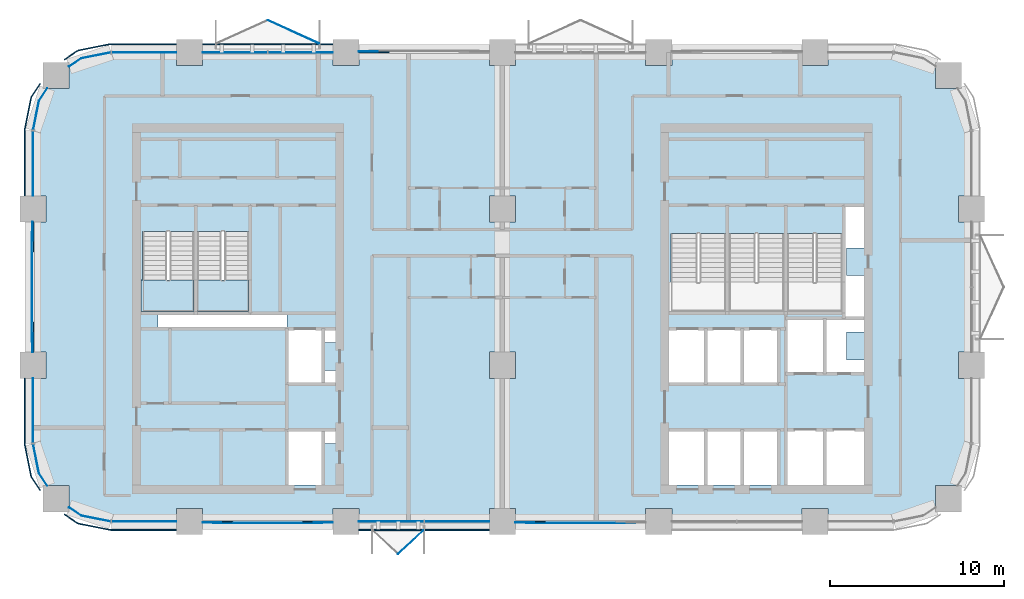
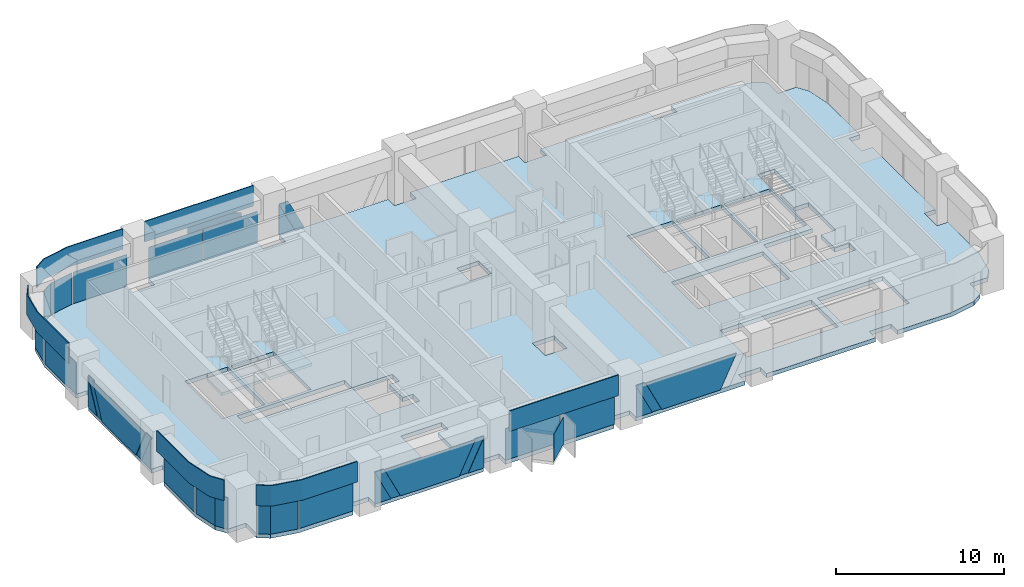
# One storey, part 6 of 14: 35 plates, 3 slabs, 12 elements without a shape of their own.
"""IFC4 building model written with IfcOpenShell, lengths in metres."""

from ifc_helpers import new_model, si_unit, direction, frame, origin, origin_2d, place, context, subcontext, project, spatial, polyline, rectangle, outline, extrude, material, layer, layer_set, type_object, element, aggregate, save


model = new_model("IFC4")

# Units and contexts
model_context = context("Model", 3, precision=1e-05, world=origin(), true_north=direction((0.0, 1.0)))
body_context = subcontext(model_context, "Body", "Model", "MODEL_VIEW")
ifc_project = project(units=[si_unit("LENGTHUNIT", "METRE"), si_unit("AREAUNIT", "SQUARE_METRE"), si_unit("VOLUMEUNIT", "CUBIC_METRE"), si_unit("PLANEANGLEUNIT", "RADIAN"), si_unit("MASSUNIT", "GRAM", prefix="KILO")], contexts=[model_context])

# Site, building, storey
site_placement = place(None, origin())
site = spatial("IfcSite", under=ifc_project, at=site_placement, CompositionType="ELEMENT")
building_placement = place(site_placement, origin())
building = spatial("IfcBuilding", under=site, at=building_placement, Name="Tessera Arch", CompositionType="ELEMENT")
storey_placement = place(building_placement, frame((0.0, 0.0, 193.39990234375)))
storey = spatial("IfcBuildingStorey", under=building, at=storey_placement, Name="L46", CompositionType="ELEMENT", Elevation=193.39990234375)

# Curtain wall, plates
ifc_material_1 = material(Name="CW1 curtain wall")
curtain_wall_type_1 = type_object("IfcCurtainWallType", Name="CW1 curtain wall", PredefinedType="NOTDEFINED", material=ifc_material_1)
curtain_wall_1_placement = place(storey_placement, origin())
curtain_wall_1 = element("IfcCurtainWall", 1, at=curtain_wall_1_placement, inside=storey, type_object=curtain_wall_type_1, Name="CW1 curtain wall N54.0/4 L46", PredefinedType="NOTDEFINED")
ifc_material_2 = material(Name="Clear low-e glass", Category="glass")
ifc_material_3 = material(Name="Clear low-e glass", Category="glass")
ifc_layer_1 = layer(ifc_material_3, 0.028076171875)
ifc_layer_set_1 = layer_set([ifc_layer_1], Name="CW1 glass panel")
plate_type_1 = type_object("IfcPlateType", Name="CW1 glass panel", PredefinedType="CURTAIN_PANEL", material=ifc_layer_set_1)
plate_1_placement = place(storey_placement, frame((15.389892578125, 54.0, 0.0), z_axis=(0.0, 0.0, 1.0), x_axis=(-1.0, 0.0, 0.0)))
plate_1 = element("IfcPlate", 2, at=plate_1_placement, type_object=plate_type_1, material=ifc_material_2, Name="CW1 glass panel N54.0/4 1.1.1", PredefinedType="CURTAIN_PANEL", context=body_context, shape_type="SweptSolid", body=[
    extrude(rectangle(XDim=3.719970703125, YDim=0.028076171875, at=origin_2d()), origin(), (0.0, 0.0, 1.0), 2.300048828125),
])
plate_2_placement = place(storey_placement, frame((11.610107421875, 54.0, 0.0), z_axis=(0.0, 0.0, 1.0), x_axis=(-1.0, 0.0, 0.0)))
plate_2 = element("IfcPlate", 3, at=plate_2_placement, type_object=plate_type_1, material=ifc_material_2, Name="CW1 glass panel N54.0/4 1.2.1", PredefinedType="CURTAIN_PANEL", context=body_context, shape_type="SweptSolid", body=[
    extrude(rectangle(XDim=3.719970703125, YDim=0.028076171875, at=origin_2d()), origin(), (0.0, 0.0, 1.0), 2.300048828125),
])

curtain_wall_2_placement = place(storey_placement, origin())
curtain_wall_2 = element("IfcCurtainWall", 4, at=curtain_wall_2_placement, inside=storey, type_object=curtain_wall_type_1, Name="CW1 curtain wall S27.0/2 L46", PredefinedType="NOTDEFINED")
plate_3_placement = place(storey_placement, frame((20.610107421875, 27.0, 0.0), z_axis=(0.0, 0.0, 1.0), x_axis=(1.0, 0.0, 0.0)))
plate_3 = element("IfcPlate", 5, at=plate_3_placement, type_object=plate_type_1, material=ifc_material_2, Name="CW1 glass panel S27.0/2 1.1.1", PredefinedType="CURTAIN_PANEL", context=body_context, shape_type="SweptSolid", body=[
    extrude(rectangle(XDim=3.719970703125, YDim=0.028076171875, at=origin_2d()), origin(), (0.0, 0.0, 1.0), 2.300048828125),
])
plate_4_placement = place(storey_placement, frame((24.389892578125, 27.0, 0.0), z_axis=(0.0, 0.0, 1.0), x_axis=(1.0, 0.0, 0.0)))
plate_4 = element("IfcPlate", 6, at=plate_4_placement, type_object=plate_type_1, material=ifc_material_2, Name="CW1 glass panel S27.0/2 1.2.1", PredefinedType="CURTAIN_PANEL", context=body_context, shape_type="SweptSolid", body=[
    extrude(rectangle(XDim=3.719970703125, YDim=0.028076171875, at=origin_2d()), origin(), (0.0, 0.0, 1.0), 2.300048828125),
])

# Plate
ifc_material_4 = material(Name="Pale anodised aluminium panel", Category="aluminium")
ifc_layer_2 = layer(ifc_material_4, 0.06005859375)
ifc_layer_set_2 = layer_set([ifc_layer_2], Name="CW1 spandrel panel")
plate_type_2 = type_object("IfcPlateType", Name="CW1 spandrel panel", PredefinedType="CURTAIN_PANEL", material=ifc_layer_set_2)
plate_5_placement = place(storey_placement, frame((13.5, 54.47998046875, 2.400146484375), z_axis=(0.0, 0.0, 1.0), x_axis=(-1.0, 0.0, 0.0)))
plate_5 = element("IfcPlate", 7, at=plate_5_placement, type_object=plate_type_2, Name="CW1 spandrel panel N54.0/4", PredefinedType="CURTAIN_PANEL", context=body_context, shape_type="SweptSolid", body=[
    extrude(rectangle(XDim=7.5, YDim=0.06005859375, at=origin_2d()), origin(), (0.0, 0.0, 1.0), 1.5),
])

aggregate(curtain_wall_1, [plate_1, plate_2, plate_5])

plate_6_placement = place(storey_placement, frame((22.5, 26.52001953125, 2.400146484375), z_axis=(0.0, 0.0, 1.0), x_axis=(1.0, 0.0, 0.0)))
plate_6 = element("IfcPlate", 8, at=plate_6_placement, type_object=plate_type_2, Name="CW1 spandrel panel S27.0/2", PredefinedType="CURTAIN_PANEL", context=body_context, shape_type="SweptSolid", body=[
    extrude(rectangle(XDim=7.5, YDim=0.06005859375, at=origin_2d()), origin(), (0.0, 0.0, 1.0), 1.5),
])

aggregate(curtain_wall_2, [plate_3, plate_4, plate_6])

# Curtain wall, plates
ifc_material_5 = material(Name="CW2 curtain wall")
curtain_wall_type_2 = type_object("IfcCurtainWallType", Name="CW2 curtain wall", PredefinedType="NOTDEFINED", material=ifc_material_5)
curtain_wall_3_placement = place(storey_placement, origin())
curtain_wall_3 = element("IfcCurtainWall", 9, at=curtain_wall_3_placement, inside=storey, type_object=curtain_wall_type_2, Name="CW2 curtain wall N54.0/5 L46", PredefinedType="NOTDEFINED")
ifc_material_6 = material(Name="Clear low-e glass", Category="glass")
ifc_layer_3 = layer(ifc_material_6, 0.028076171875)
ifc_layer_set_3 = layer_set([ifc_layer_3], Name="CW2 glass panel")
plate_type_3 = type_object("IfcPlateType", Name="CW2 glass panel", PredefinedType="CURTAIN_PANEL", material=ifc_layer_set_3)
plate_7_placement = place(storey_placement, frame((6.39501953125, 54.0, 0.0), z_axis=(0.0, 0.0, 1.0), x_axis=(-1.0, 0.0, 0.0)))
plate_7 = element("IfcPlate", 10, at=plate_7_placement, type_object=plate_type_3, material=ifc_material_2, Name="CW2 glass panel N54.0/5 1.1", PredefinedType="CURTAIN_PANEL", context=body_context, shape_type="SweptSolid", body=[
    extrude(rectangle(XDim=3.7099609375, YDim=0.028076171875, at=origin_2d()), origin(), (0.0, 0.0, 1.0), 2.300048828125),
])
plate_8_placement = place(storey_placement, origin())
plate_8 = element("IfcPlate", 11, at=plate_8_placement, type_object=plate_type_3, material=ifc_material_2, Name="CW2 curved glass panel N54.0/5 2.1", PredefinedType="CURTAIN_PANEL", context=body_context, shape_type="SweptSolid", body=[
    extrude(outline(polyline([(2.783447265625, 53.644287109375), (4.46337890625, 53.978515625), (4.4580078125, 54.005859375), (2.7724609375, 53.670654296875), (2.060302734375, 53.19482421875), (2.07568359375, 53.17138671875), (2.783447265625, 53.644287109375)])), origin(), (0.0, 0.0, 1.0), 2.300048828125),
])

curtain_wall_4_placement = place(storey_placement, origin())
curtain_wall_4 = element("IfcCurtainWall", 12, at=curtain_wall_4_placement, inside=storey, type_object=curtain_wall_type_2, Name="CW2 curtain wall W0.27/0 L46", PredefinedType="NOTDEFINED")
plate_9_placement = place(storey_placement, frame((0.0, 47.60498046875, 0.0), z_axis=(0.0, 0.0, 1.0), x_axis=(0.0, -1.0, 0.0)))
plate_9 = element("IfcPlate", 13, at=plate_9_placement, type_object=plate_type_3, material=ifc_material_2, Name="CW2 glass panel W0.27/0 1.1", PredefinedType="CURTAIN_PANEL", context=body_context, shape_type="SweptSolid", body=[
    extrude(rectangle(XDim=3.7099609375, YDim=0.028076171875, at=origin_2d()), origin(), (0.0, 0.0, 1.0), 2.300048828125),
])
plate_10_placement = place(storey_placement, origin())
plate_10 = element("IfcPlate", 14, at=plate_10_placement, type_object=plate_type_3, material=ifc_material_2, Name="CW2 curved glass panel W0.27/0 2.1", PredefinedType="CURTAIN_PANEL", context=body_context, shape_type="SweptSolid", body=[
    extrude(outline(polyline([(0.355712890625, 51.216552734375), (0.82861328125, 51.92431640625), (0.80517578125, 51.939697265625), (0.329345703125, 51.2275390625), (-0.005859375, 49.5419921875), (0.021484375, 49.53662109375), (0.355712890625, 51.216552734375)])), origin(), (0.0, 0.0, 1.0), 2.300048828125),
])

curtain_wall_5_placement = place(storey_placement, origin())
curtain_wall_5 = element("IfcCurtainWall", 15, at=curtain_wall_5_placement, inside=storey, type_object=curtain_wall_type_2, Name="CW2 curtain wall W0.27/2 L46", PredefinedType="NOTDEFINED")
plate_11_placement = place(storey_placement, frame((0.0, 33.39501953125, 0.0), z_axis=(0.0, 0.0, 1.0), x_axis=(0.0, -1.0, 0.0)))
plate_11 = element("IfcPlate", 16, at=plate_11_placement, type_object=plate_type_3, material=ifc_material_2, Name="CW2 glass panel W0.27/2 1.1", PredefinedType="CURTAIN_PANEL", context=body_context, shape_type="SweptSolid", body=[
    extrude(rectangle(XDim=3.7099609375, YDim=0.028076171875, at=origin_2d()), origin(), (0.0, 0.0, 1.0), 2.300048828125),
])
plate_12_placement = place(storey_placement, origin())
plate_12 = element("IfcPlate", 17, at=plate_12_placement, type_object=plate_type_3, material=ifc_material_2, Name="CW2 curved glass panel W0.27/2 2.1", PredefinedType="CURTAIN_PANEL", context=body_context, shape_type="SweptSolid", body=[
    extrude(outline(polyline([(0.355712890625, 29.783447265625), (0.021484375, 31.46337890625), (-0.005859375, 31.4580078125), (0.329345703125, 29.7724609375), (0.80517578125, 29.060302734375), (0.82861328125, 29.07568359375), (0.355712890625, 29.783447265625)])), origin(), (0.0, 0.0, 1.0), 2.300048828125),
])

curtain_wall_6_placement = place(storey_placement, origin())
curtain_wall_6 = element("IfcCurtainWall", 18, at=curtain_wall_6_placement, inside=storey, type_object=curtain_wall_type_2, Name="CW2 curtain wall S27.0/0 L46", PredefinedType="NOTDEFINED")
plate_13_placement = place(storey_placement, frame((6.39501953125, 27.0, 0.0), z_axis=(0.0, 0.0, 1.0), x_axis=(1.0, 0.0, 0.0)))
plate_13 = element("IfcPlate", 19, at=plate_13_placement, type_object=plate_type_3, material=ifc_material_2, Name="CW2 glass panel S27.0/0 1.1", PredefinedType="CURTAIN_PANEL", context=body_context, shape_type="SweptSolid", body=[
    extrude(rectangle(XDim=3.7099609375, YDim=0.028076171875, at=origin_2d()), origin(), (0.0, 0.0, 1.0), 2.300048828125),
])
plate_14_placement = place(storey_placement, origin())
plate_14 = element("IfcPlate", 20, at=plate_14_placement, type_object=plate_type_3, material=ifc_material_2, Name="CW2 curved glass panel S27.0/0 2.1", PredefinedType="CURTAIN_PANEL", context=body_context, shape_type="SweptSolid", body=[
    extrude(outline(polyline([(2.783447265625, 27.355712890625), (2.07568359375, 27.82861328125), (2.060302734375, 27.80517578125), (2.7724609375, 27.329345703125), (4.4580078125, 26.994140625), (4.46337890625, 27.021484375), (2.783447265625, 27.355712890625)])), origin(), (0.0, 0.0, 1.0), 2.300048828125),
])

# Plate
ifc_material_7 = material(Name="Pale anodised aluminium panel", Category="aluminium")
ifc_layer_4 = layer(ifc_material_7, 0.06005859375)
ifc_layer_set_4 = layer_set([ifc_layer_4], Name="CW2 spandrel panel")
plate_type_4 = type_object("IfcPlateType", Name="CW2 spandrel panel", PredefinedType="CURTAIN_PANEL", material=ifc_layer_set_4)
plate_15_placement = place(storey_placement, frame((0.0, 0.0, 2.400146484375)))
plate_15 = element("IfcPlate", 21, at=plate_15_placement, type_object=plate_type_4, Name="CW2 spandrel panel N54.0/5", PredefinedType="CURTAIN_PANEL", context=body_context, shape_type="SweptSolid", body=[
    extrude(outline(polyline([(4.500732421875, 54.449951171875), (8.25, 54.449951171875), (8.25, 54.510009765625), (4.499267578125, 54.510009765625), (4.449951171875, 54.507568359375), (4.401123046875, 54.500244140625), (2.677734375, 54.157470703125), (2.6298828125, 54.1455078125), (2.582763671875, 54.128662109375), (2.537353515625, 54.107421875), (2.4951171875, 54.08203125), (1.78466796875, 53.607177734375), (1.81787109375, 53.55712890625), (2.52734375, 54.03125), (2.565673828125, 54.054443359375), (2.605712890625, 54.0732421875), (2.647216796875, 54.088134765625), (2.69091796875, 54.09912109375), (4.411376953125, 54.441162109375), (4.455810546875, 54.44775390625), (4.500732421875, 54.449951171875)])), origin(), (0.0, 0.0, 1.0), 1.5),
])

aggregate(curtain_wall_3, [plate_7, plate_8, plate_15])

plate_16_placement = place(storey_placement, frame((0.0, 0.0, 2.400146484375)))
plate_16 = element("IfcPlate", 22, at=plate_16_placement, type_object=plate_type_4, Name="CW2 spandrel panel W0.27/0", PredefinedType="CURTAIN_PANEL", context=body_context, shape_type="SweptSolid", body=[
    extrude(outline(polyline([(-0.03125, 51.47265625), (0.44287109375, 52.18212890625), (0.392822265625, 52.21533203125), (-0.08203125, 51.5048828125), (-0.107421875, 51.462646484375), (-0.128662109375, 51.417236328125), (-0.1455078125, 51.3701171875), (-0.157470703125, 51.322265625), (-0.500244140625, 49.598876953125), (-0.507568359375, 49.550048828125), (-0.510009765625, 49.500732421875), (-0.510009765625, 45.75), (-0.449951171875, 45.75), (-0.449951171875, 49.499267578125), (-0.44775390625, 49.544189453125), (-0.441162109375, 49.588623046875), (-0.09912109375, 51.30908203125), (-0.088134765625, 51.352783203125), (-0.0732421875, 51.394287109375), (-0.054443359375, 51.434326171875), (-0.03125, 51.47265625)])), origin(), (0.0, 0.0, 1.0), 1.5),
])

aggregate(curtain_wall_4, [plate_9, plate_10, plate_16])

plate_17_placement = place(storey_placement, frame((0.0, 0.0, 2.400146484375)))
plate_17 = element("IfcPlate", 23, at=plate_17_placement, type_object=plate_type_4, Name="CW2 spandrel panel W0.27/2", PredefinedType="CURTAIN_PANEL", context=body_context, shape_type="SweptSolid", body=[
    extrude(outline(polyline([(-0.449951171875, 31.500732421875), (-0.449951171875, 35.25), (-0.510009765625, 35.25), (-0.510009765625, 31.499267578125), (-0.507568359375, 31.449951171875), (-0.500244140625, 31.401123046875), (-0.157470703125, 29.677734375), (-0.1455078125, 29.6298828125), (-0.128662109375, 29.582763671875), (-0.107421875, 29.537353515625), (-0.08203125, 29.4951171875), (0.392822265625, 28.78466796875), (0.44287109375, 28.81787109375), (-0.03125, 29.52734375), (-0.054443359375, 29.565673828125), (-0.0732421875, 29.605712890625), (-0.088134765625, 29.647216796875), (-0.09912109375, 29.69091796875), (-0.441162109375, 31.411376953125), (-0.44775390625, 31.455810546875), (-0.449951171875, 31.500732421875)])), origin(), (0.0, 0.0, 1.0), 1.5),
])

aggregate(curtain_wall_5, [plate_11, plate_12, plate_17])

plate_18_placement = place(storey_placement, frame((0.0, 0.0, 2.400146484375)))
plate_18 = element("IfcPlate", 24, at=plate_18_placement, type_object=plate_type_4, Name="CW2 spandrel panel S27.0/0", PredefinedType="CURTAIN_PANEL", context=body_context, shape_type="SweptSolid", body=[
    extrude(outline(polyline([(2.52734375, 26.96875), (1.81787109375, 27.44287109375), (1.78466796875, 27.392822265625), (2.4951171875, 26.91796875), (2.537353515625, 26.892578125), (2.582763671875, 26.871337890625), (2.6298828125, 26.8544921875), (2.677734375, 26.842529296875), (4.401123046875, 26.499755859375), (4.449951171875, 26.492431640625), (4.499267578125, 26.489990234375), (8.25, 26.489990234375), (8.25, 26.550048828125), (4.500732421875, 26.550048828125), (4.455810546875, 26.55224609375), (4.411376953125, 26.558837890625), (2.69091796875, 26.90087890625), (2.647216796875, 26.911865234375), (2.605712890625, 26.9267578125), (2.565673828125, 26.945556640625), (2.52734375, 26.96875)])), origin(), (0.0, 0.0, 1.0), 1.5),
])

aggregate(curtain_wall_6, [plate_13, plate_14, plate_18])

# Curtain wall, plate
ifc_material_8 = material(Name="CW3 curtain wall")
curtain_wall_type_3 = type_object("IfcCurtainWallType", Name="CW3 curtain wall", PredefinedType="NOTDEFINED", material=ifc_material_8)
curtain_wall_7_placement = place(storey_placement, origin())
curtain_wall_7 = element("IfcCurtainWall", 25, at=curtain_wall_7_placement, inside=storey, type_object=curtain_wall_type_3, Name="CW3 curtain wall N54.0/3 L46", PredefinedType="NOTDEFINED")
ifc_material_9 = material(Name="Pale anodised aluminium panel", Category="aluminium")
ifc_layer_5 = layer(ifc_material_9, 0.06005859375)
ifc_layer_set_5 = layer_set([ifc_layer_5], Name="CW3 diagonal panel")
plate_type_5 = type_object("IfcPlateType", Name="CW3 diagonal panel", PredefinedType="CURTAIN_PANEL", material=ifc_layer_set_5)
plate_19_placement = place(storey_placement, frame((18.75, 54.030029296875, 2.300048828125), z_axis=(0.0, 1.0, 0.0), x_axis=(1.0, 0.0, 0.0)))
plate_19 = element("IfcPlate", 26, at=plate_19_placement, type_object=plate_type_5, Name="CW3 diagonal panel N54.0/3 1", PredefinedType="CURTAIN_PANEL", context=body_context, shape_type="SweptSolid", body=[
    extrude(outline(polyline([(0.0, 0.0), (0.613037109375, 0.0), (1.7333984375, 2.300048828125), (1.09130859375, 2.300048828125), (0.0, 0.058837890625), (0.0, 0.0)])), origin(), (0.0, 0.0, -1.0), 0.06005859375),
])

# Curtain wall, plates
curtain_wall_8_placement = place(storey_placement, origin())
curtain_wall_8 = element("IfcCurtainWall", 27, at=curtain_wall_8_placement, inside=storey, type_object=curtain_wall_type_3, Name="CW3 curtain wall W0.27/1 L46", PredefinedType="NOTDEFINED")
plate_20_placement = place(storey_placement, frame((-0.030029296875, 36.75, 2.300048828125), z_axis=(-1.0, 0.0, 0.0), x_axis=(0.0, 1.0, 0.0)))
plate_20 = element("IfcPlate", 28, at=plate_20_placement, type_object=plate_type_5, Name="CW3 diagonal panel W0.27/1 1", PredefinedType="CURTAIN_PANEL", context=body_context, shape_type="SweptSolid", body=[
    extrude(outline(polyline([(0.0, 0.0), (0.613037109375, 0.0), (1.7333984375, 2.300048828125), (1.09130859375, 2.300048828125), (0.0, 0.058837890625), (0.0, 0.0)])), origin(), (0.0, 0.0, -1.0), 0.06005859375),
])
plate_21_placement = place(storey_placement, frame((-0.030029296875, 44.25, 2.300048828125), z_axis=(-1.0, 0.0, 0.0), x_axis=(0.0, 0.0, -1.0)))
plate_21 = element("IfcPlate", 29, at=plate_21_placement, type_object=plate_type_5, Name="CW3 diagonal panel W0.27/1 2", PredefinedType="CURTAIN_PANEL", context=body_context, shape_type="SweptSolid", body=[
    extrude(outline(polyline([(0.0, 0.0), (0.058837890625, 0.0), (2.300048828125, 1.09130859375), (2.300048828125, 1.7333984375), (0.0, 0.613037109375), (0.0, 0.0)])), origin(), (0.0, 0.0, -1.0), 0.06005859375),
])

curtain_wall_9_placement = place(storey_placement, origin())
curtain_wall_9 = element("IfcCurtainWall", 30, at=curtain_wall_9_placement, inside=storey, type_object=curtain_wall_type_3, Name="CW3 curtain wall S27.0/1 L46", PredefinedType="NOTDEFINED")
plate_22_placement = place(storey_placement, frame((17.25, 26.969970703125, 2.300048828125), z_axis=(0.0, -1.0, 0.0), x_axis=(-1.0, 0.0, 0.0)))
plate_22 = element("IfcPlate", 31, at=plate_22_placement, type_object=plate_type_5, Name="CW3 diagonal panel S27.0/1 1", PredefinedType="CURTAIN_PANEL", context=body_context, shape_type="SweptSolid", body=[
    extrude(outline(polyline([(0.0, 0.0), (0.613037109375, 0.0), (1.7333984375, 2.300048828125), (1.09130859375, 2.300048828125), (0.0, 0.058837890625), (0.0, 0.0)])), origin(), (0.0, 0.0, -1.0), 0.06005859375),
])
plate_23_placement = place(storey_placement, frame((9.75, 26.969970703125, 2.300048828125), z_axis=(0.0, -1.0, 0.0), x_axis=(0.0, 0.0, -1.0)))
plate_23 = element("IfcPlate", 32, at=plate_23_placement, type_object=plate_type_5, Name="CW3 diagonal panel S27.0/1 2", PredefinedType="CURTAIN_PANEL", context=body_context, shape_type="SweptSolid", body=[
    extrude(outline(polyline([(0.0, 0.0), (0.058837890625, 0.0), (2.300048828125, 1.09130859375), (2.300048828125, 1.7333984375), (0.0, 0.613037109375), (0.0, 0.0)])), origin(), (0.0, 0.0, -1.0), 0.06005859375),
])

# Curtain wall, plate
curtain_wall_10_placement = place(storey_placement, origin())
curtain_wall_10 = element("IfcCurtainWall", 33, at=curtain_wall_10_placement, inside=storey, type_object=curtain_wall_type_3, Name="CW3 curtain wall S27.0/3 L46", PredefinedType="NOTDEFINED")
plate_24_placement = place(storey_placement, frame((27.75, 26.969970703125, 2.300048828125), z_axis=(0.0, -1.0, 0.0), x_axis=(0.0, 0.0, -1.0)))
plate_24 = element("IfcPlate", 34, at=plate_24_placement, type_object=plate_type_5, Name="CW3 diagonal panel S27.0/3 2", PredefinedType="CURTAIN_PANEL", context=body_context, shape_type="SweptSolid", body=[
    extrude(outline(polyline([(0.0, 0.0), (0.058837890625, 0.0), (2.300048828125, 1.09130859375), (2.300048828125, 1.7333984375), (0.0, 0.613037109375), (0.0, 0.0)])), origin(), (0.0, 0.0, -1.0), 0.06005859375),
])

# Plate
ifc_material_10 = material(Name="Clear low-e glass", Category="glass")
ifc_layer_6 = layer(ifc_material_10, 0.028076171875)
ifc_layer_set_6 = layer_set([ifc_layer_6], Name="CW3 glass panel")
plate_type_6 = type_object("IfcPlateType", Name="CW3 glass panel", PredefinedType="CURTAIN_PANEL", material=ifc_layer_set_6)
plate_25_placement = place(storey_placement, frame((18.75, 54.05810546875, 0.0), z_axis=(0.0, 1.0, 0.0), x_axis=(0.0, 0.0, 1.0)))
plate_25 = element("IfcPlate", 35, at=plate_25_placement, type_object=plate_type_6, material=ifc_material_2, Name="CW3 triangulated glass panel N54.0/3 3", PredefinedType="CURTAIN_PANEL", context=body_context, shape_type="SweptSolid", body=[
    extrude(outline(polyline([(0.0, 0.0), (2.2412109375, 0.0), (0.0, 1.09130859375), (0.0, 0.0)])), origin(), (0.0, 0.0, -1.0), 0.028076171875),
])

aggregate(curtain_wall_7, [plate_25, plate_19])

plate_26_placement = place(storey_placement, frame((-0.05810546875, 44.25, 0.0), z_axis=(-1.0, 0.0, 0.0), x_axis=(0.0, -1.0, 0.0)))
plate_26 = element("IfcPlate", 36, at=plate_26_placement, type_object=plate_type_6, material=ifc_material_2, Name="CW3 triangulated glass panel W0.27/1 1", PredefinedType="CURTAIN_PANEL", context=body_context, shape_type="SweptSolid", body=[
    extrude(outline(polyline([(0.0, 0.0), (1.09130859375, 0.0), (0.0, 2.2412109375), (0.0, 0.0)])), origin(), (0.0, 0.0, -1.0), 0.028076171875),
])

plate_27_placement = place(storey_placement, frame((-0.0859375, 37.363037109375, 2.300048828125), z_axis=(-1.0, 0.0, 0.0), x_axis=(0.0, 1.0, 0.0)))
plate_27 = element("IfcPlate", 37, at=plate_27_placement, type_object=plate_type_6, material=ifc_material_2, Name="CW3 triangulated glass panel W0.27/1 2", PredefinedType="CURTAIN_PANEL", context=body_context, shape_type="SweptSolid", body=[
    extrude(outline(polyline([(0.0, 0.0), (6.27392578125, 0.0), (5.153564453125, 2.300048828125), (1.120361328125, 2.300048828125), (0.0, 0.0)])), origin(), (0.0, 0.0, -1.0), 0.028076171875),
])

plate_28_placement = place(storey_placement, frame((-0.05810546875, 36.75, 0.0), z_axis=(-1.0, 0.0, 0.0), x_axis=(0.0, 0.0, 1.0)))
plate_28 = element("IfcPlate", 38, at=plate_28_placement, type_object=plate_type_6, material=ifc_material_2, Name="CW3 triangulated glass panel W0.27/1 3", PredefinedType="CURTAIN_PANEL", context=body_context, shape_type="SweptSolid", body=[
    extrude(outline(polyline([(0.0, 0.0), (2.2412109375, 0.0), (0.0, 1.09130859375), (0.0, 0.0)])), origin(), (0.0, 0.0, -1.0), 0.028076171875),
])

aggregate(curtain_wall_8, [plate_26, plate_27, plate_28, plate_20, plate_21])

plate_29_placement = place(storey_placement, frame((9.75, 26.94189453125, 0.0), z_axis=(0.0, -1.0, 0.0), x_axis=(1.0, 0.0, 0.0)))
plate_29 = element("IfcPlate", 39, at=plate_29_placement, type_object=plate_type_6, material=ifc_material_2, Name="CW3 triangulated glass panel S27.0/1 1", PredefinedType="CURTAIN_PANEL", context=body_context, shape_type="SweptSolid", body=[
    extrude(outline(polyline([(0.0, 0.0), (1.09130859375, 0.0), (0.0, 2.2412109375), (0.0, 0.0)])), origin(), (0.0, 0.0, -1.0), 0.028076171875),
])

plate_30_placement = place(storey_placement, frame((16.636962890625, 26.9140625, 2.300048828125), z_axis=(0.0, -1.0, 0.0), x_axis=(-1.0, 0.0, 0.0)))
plate_30 = element("IfcPlate", 40, at=plate_30_placement, type_object=plate_type_6, material=ifc_material_2, Name="CW3 triangulated glass panel S27.0/1 2", PredefinedType="CURTAIN_PANEL", context=body_context, shape_type="SweptSolid", body=[
    extrude(outline(polyline([(0.0, 0.0), (6.27392578125, 0.0), (5.153564453125, 2.300048828125), (1.120361328125, 2.300048828125), (0.0, 0.0)])), origin(), (0.0, 0.0, -1.0), 0.028076171875),
])

plate_31_placement = place(storey_placement, frame((17.25, 26.94189453125, 0.0), z_axis=(0.0, -1.0, 0.0), x_axis=(0.0, 0.0, 1.0)))
plate_31 = element("IfcPlate", 41, at=plate_31_placement, type_object=plate_type_6, material=ifc_material_2, Name="CW3 triangulated glass panel S27.0/1 3", PredefinedType="CURTAIN_PANEL", context=body_context, shape_type="SweptSolid", body=[
    extrude(outline(polyline([(0.0, 0.0), (2.2412109375, 0.0), (0.0, 1.09130859375), (0.0, 0.0)])), origin(), (0.0, 0.0, -1.0), 0.028076171875),
])

aggregate(curtain_wall_9, [plate_29, plate_30, plate_31, plate_22, plate_23])

plate_32_placement = place(storey_placement, frame((27.75, 26.94189453125, 0.0), z_axis=(0.0, -1.0, 0.0), x_axis=(1.0, 0.0, 0.0)))
plate_32 = element("IfcPlate", 42, at=plate_32_placement, type_object=plate_type_6, material=ifc_material_2, Name="CW3 triangulated glass panel S27.0/3 1", PredefinedType="CURTAIN_PANEL", context=body_context, shape_type="SweptSolid", body=[
    extrude(outline(polyline([(0.0, 0.0), (1.09130859375, 0.0), (0.0, 2.2412109375), (0.0, 0.0)])), origin(), (0.0, 0.0, -1.0), 0.028076171875),
])

plate_33_placement = place(storey_placement, frame((34.636962890625, 26.9140625, 2.300048828125), z_axis=(0.0, -1.0, 0.0), x_axis=(-1.0, 0.0, 0.0)))
plate_33 = element("IfcPlate", 43, at=plate_33_placement, type_object=plate_type_6, material=ifc_material_2, Name="CW3 triangulated glass panel S27.0/3 2", PredefinedType="CURTAIN_PANEL", context=body_context, shape_type="SweptSolid", body=[
    extrude(outline(polyline([(0.0, 0.0), (6.27392578125, 0.0), (5.153564453125, 2.300048828125), (1.120361328125, 2.300048828125), (0.0, 0.0)])), origin(), (0.0, 0.0, -1.0), 0.028076171875),
])

aggregate(curtain_wall_10, [plate_32, plate_33, plate_24])

# Slab
ifc_material_11 = material(Name="Concrete C40/50", Category="concrete")
ifc_layer_7 = layer(ifc_material_11, 0.300048828125)
ifc_layer_set_7 = layer_set([ifc_layer_7], Name="Floor slab 300 Concrete C40/50")
slab_type_1 = type_object("IfcSlabType", Name="Floor slab 300 Concrete C40/50", PredefinedType="FLOOR", material=ifc_layer_set_7)
slab_1_placement = place(storey_placement, frame((0.0, 0.0, -0.2998046875)))
element("IfcSlab", 44, at=slab_1_placement, inside=storey, type_object=slab_type_1, Name="Floor slab L46 1", PredefinedType="FLOOR", context=body_context, shape_type="SweptSolid", body=[
    extrude(outline(polyline([(54.0, 31.5), (53.657470703125, 29.77783203125), (53.18310546875, 29.068115234375), (51.931884765625, 29.068115234375), (51.931884765625, 27.81689453125), (51.22216796875, 27.342529296875), (49.5, 27.0), (45.75, 27.0), (45.75, 27.75), (44.25, 27.75), (44.25, 27.0), (36.75, 27.0), (36.75, 27.75), (35.25, 27.75), (35.25, 27.0), (27.75, 27.0), (27.75, 27.75), (26.25, 27.75), (26.25, 27.0), (18.75, 27.0), (18.75, 27.75), (17.25, 27.75), (17.25, 27.0), (9.75, 27.0), (9.75, 27.75), (8.25, 27.75), (8.25, 27.0), (4.5, 27.0), (2.77783203125, 27.342529296875), (2.068115234375, 27.81689453125), (2.068115234375, 29.068115234375), (0.81689453125, 29.068115234375), (0.342529296875, 29.77783203125), (0.0, 31.5), (0.0, 35.25), (0.75, 35.25), (0.75, 36.75), (0.0, 36.75), (0.0, 44.25), (0.75, 44.25), (0.75, 45.75), (0.0, 45.75), (0.0, 49.5), (0.342529296875, 51.22216796875), (0.81689453125, 51.931884765625), (2.068115234375, 51.931884765625), (2.068115234375, 53.18310546875), (2.77783203125, 53.657470703125), (4.5, 54.0), (8.25, 54.0), (8.25, 53.25), (9.75, 53.25), (9.75, 54.0), (17.25, 54.0), (17.25, 53.25), (18.75, 53.25), (18.75, 54.0), (26.25, 54.0), (26.25, 53.25), (27.75, 53.25), (27.75, 54.0), (35.25, 54.0), (35.25, 53.25), (36.75, 53.25), (36.75, 54.0), (44.25, 54.0), (44.25, 53.25), (45.75, 53.25), (45.75, 54.0), (49.5, 54.0), (51.22216796875, 53.657470703125), (51.931884765625, 53.18310546875), (51.931884765625, 51.931884765625), (53.18310546875, 51.931884765625), (53.657470703125, 51.22216796875), (54.0, 49.5), (54.0, 45.75), (53.25, 45.75), (53.25, 44.25), (54.0, 44.25), (54.0, 36.75), (53.25, 36.75), (53.25, 35.25), (54.0, 35.25), (54.0, 31.5)]), holes=[polyline([(14.60009765625, 29.10009765625), (16.699951171875, 29.10009765625), (16.699951171875, 31.5), (17.39990234375, 31.5), (17.39990234375, 32.300048828125), (16.699951171875, 32.300048828125), (14.60009765625, 32.300048828125), (14.60009765625, 29.10009765625)]), polyline([(26.25, 36.75), (26.25, 35.25), (27.75, 35.25), (27.75, 36.75), (26.25, 36.75)]), polyline([(17.39990234375, 37.300048828125), (17.39990234375, 38.10009765625), (16.699951171875, 38.10009765625), (14.60498046875, 38.10009765625), (14.60498046875, 38.10498046875), (14.60009765625, 38.10498046875), (14.60009765625, 39.0), (7.199951171875, 39.0), (7.199951171875, 38.10009765625), (14.594970703125, 38.10009765625), (14.594970703125, 38.094970703125), (14.60009765625, 38.094970703125), (14.60009765625, 34.89990234375), (16.699951171875, 34.89990234375), (17.39990234375, 34.89990234375), (17.39990234375, 35.699951171875), (16.699951171875, 35.699951171875), (16.699951171875, 37.300048828125), (17.39990234375, 37.300048828125)]), polyline([(6.300048828125, 43.68994140625), (6.300048828125, 39.199951171875), (9.25, 39.199951171875), (9.25, 43.68994140625), (7.85009765625, 43.68994140625), (7.85009765625, 43.699951171875), (7.699951171875, 43.699951171875), (7.699951171875, 43.68994140625), (6.300048828125, 43.68994140625)]), polyline([(9.449951171875, 39.199951171875), (12.39990234375, 39.199951171875), (12.39990234375, 43.68994140625), (11.0, 43.68994140625), (11.0, 43.699951171875), (10.85009765625, 43.699951171875), (10.85009765625, 43.68994140625), (9.449951171875, 43.68994140625), (9.449951171875, 39.199951171875)]), polyline([(38.699951171875, 29.10009765625), (40.800048828125, 29.10009765625), (42.89990234375, 29.10009765625), (42.89990234375, 32.300048828125), (40.800048828125, 32.300048828125), (38.699951171875, 32.300048828125), (36.60009765625, 32.300048828125), (36.60009765625, 29.10009765625), (38.699951171875, 29.10009765625)]), polyline([(45.550048828125, 32.300048828125), (43.300048828125, 32.300048828125), (43.300048828125, 29.10009765625), (45.550048828125, 29.10009765625), (47.800048828125, 29.10009765625), (47.800048828125, 32.300048828125), (45.550048828125, 32.300048828125)]), polyline([(40.800048828125, 34.89990234375), (42.89990234375, 34.89990234375), (42.89990234375, 38.10009765625), (40.800048828125, 38.10009765625), (38.699951171875, 38.10009765625), (36.60009765625, 38.10009765625), (36.60009765625, 34.89990234375), (38.699951171875, 34.89990234375), (40.800048828125, 34.89990234375)]), polyline([(47.800048828125, 42.75), (47.800048828125, 45.199951171875), (46.64990234375, 45.199951171875), (46.64990234375, 38.699951171875), (45.550048828125, 38.699951171875), (43.300048828125, 38.699951171875), (43.300048828125, 35.5), (45.550048828125, 35.5), (47.800048828125, 35.5), (47.800048828125, 36.300048828125), (46.800048828125, 36.300048828125), (46.800048828125, 37.89990234375), (47.800048828125, 37.89990234375), (47.800048828125, 38.699951171875), (47.800048828125, 41.14990234375), (46.800048828125, 41.14990234375), (46.800048828125, 42.75), (47.800048828125, 42.75)]), polyline([(36.699951171875, 39.199951171875), (39.85009765625, 39.199951171875), (39.85009765625, 43.570068359375), (38.330078125, 43.570068359375), (38.330078125, 43.580078125), (38.219970703125, 43.580078125), (38.219970703125, 43.570068359375), (36.699951171875, 43.570068359375), (36.699951171875, 39.199951171875)]), polyline([(40.050048828125, 39.199951171875), (43.199951171875, 39.199951171875), (43.199951171875, 43.570068359375), (41.679931640625, 43.570068359375), (41.679931640625, 43.580078125), (41.570068359375, 43.580078125), (41.570068359375, 43.570068359375), (40.050048828125, 43.570068359375), (40.050048828125, 39.199951171875)]), polyline([(43.39990234375, 43.570068359375), (43.39990234375, 39.199951171875), (46.550048828125, 39.199951171875), (46.550048828125, 43.570068359375), (45.030029296875, 43.570068359375), (45.030029296875, 43.580078125), (44.919921875, 43.580078125), (44.919921875, 43.570068359375), (43.39990234375, 43.570068359375)]), polyline([(26.25, 45.75), (26.25, 44.25), (27.75, 44.25), (27.75, 45.75), (26.25, 45.75)])]), origin(), (0.0, 0.0, 1.0), 0.2998046875),
])

# Stair, slab
ifc_material_12 = material(Name="Concrete C40/50", Category="concrete")
stair_type = type_object("IfcStairType", Name="Dogleg stair 1400", PredefinedType="HALF_TURN_STAIR", material=ifc_material_12)
stair_1_placement = place(storey_placement, origin())
stair_1 = element("IfcStair", 45, at=stair_1_placement, inside=storey, type_object=stair_type, Name="L46 S2a", PredefinedType="HALF_TURN_STAIR")
ifc_material_13 = material(Name="Concrete C40/50", Category="concrete")
ifc_layer_8 = layer(ifc_material_13, 0.300048828125)
ifc_layer_set_8 = layer_set([ifc_layer_8], Name="Stair landing 300")
slab_type_2 = type_object("IfcSlabType", Name="Stair landing 300", PredefinedType="LANDING", material=ifc_layer_set_8)
slab_2_placement = place(storey_placement, frame((0.0, 0.0, 1.75)))
slab_2 = element("IfcSlab", 46, at=slab_2_placement, type_object=slab_type_2, Name="S2a landing 1", PredefinedType="LANDING", context=body_context, shape_type="SweptSolid", body=[
    extrude(outline(polyline([(6.199951171875, 40.89990234375), (6.199951171875, 39.10009765625), (9.25, 39.10009765625), (9.25, 40.89990234375), (6.199951171875, 40.89990234375)])), origin(), (0.0, 0.0, 1.0), 0.2001953125),
])
aggregate(stair_1, [slab_2])

stair_2_placement = place(storey_placement, origin())
stair_2 = element("IfcStair", 47, at=stair_2_placement, inside=storey, type_object=stair_type, Name="L46 S2b", PredefinedType="HALF_TURN_STAIR")
slab_3_placement = place(storey_placement, frame((0.0, 0.0, 1.75)))
slab_3 = element("IfcSlab", 48, at=slab_3_placement, type_object=slab_type_2, Name="S2b landing 1", PredefinedType="LANDING", context=body_context, shape_type="SweptSolid", body=[
    extrude(outline(polyline([(9.449951171875, 40.89990234375), (9.449951171875, 39.10009765625), (12.39990234375, 39.10009765625), (12.39990234375, 40.89990234375), (9.449951171875, 40.89990234375)])), origin(), (0.0, 0.0, 1.0), 0.2001953125),
])
aggregate(stair_2, [slab_3])

# Plates
ifc_material_14 = material(Name="Clear low-e glass", Category="glass")
ifc_layer_9 = layer(ifc_material_14, 0.028076171875)
ifc_layer_set_9 = layer_set([ifc_layer_9], Name="Window box glass facet")
plate_type_7 = type_object("IfcPlateType", Name="Window box glass facet", PredefinedType="SHEET", material=ifc_layer_set_9)
plate_34_placement = place(storey_placement, frame((14.97509765625, 55.179931640625, 0.22021484375), z_axis=(0.0, 0.0, 1.0), x_axis=(-0.910472144558, 0.413570397858, 0.0)))
element("IfcPlate", 49, at=plate_34_placement, inside=storey, type_object=plate_type_7, Name="Window box N54.0/4.0 2x1 glass", PredefinedType="SHEET", context=body_context, shape_type="SweptSolid", body=[
    extrude(rectangle(XDim=3.239990234375, YDim=0.028076171875, at=origin_2d()), origin(), (0.0, 0.0, 1.0), 1.9599609375),
])
plate_35_placement = place(storey_placement, frame((21.72509765625, 25.820068359375, 0.22021484375), z_axis=(0.0, 0.0, 1.0), x_axis=(-0.734414958885, -0.678700720617, 0.0)))
element("IfcPlate", 50, at=plate_35_placement, inside=storey, type_object=plate_type_7, Name="Window box S27.0/2.0 1x1 glass", PredefinedType="SHEET", context=body_context, shape_type="SweptSolid", body=[
    extrude(rectangle(XDim=1.974365234375, YDim=0.028076171875, at=origin_2d()), origin(), (0.0, 0.0, 1.0), 1.9599609375),
])

save(model, "model.ifc")
